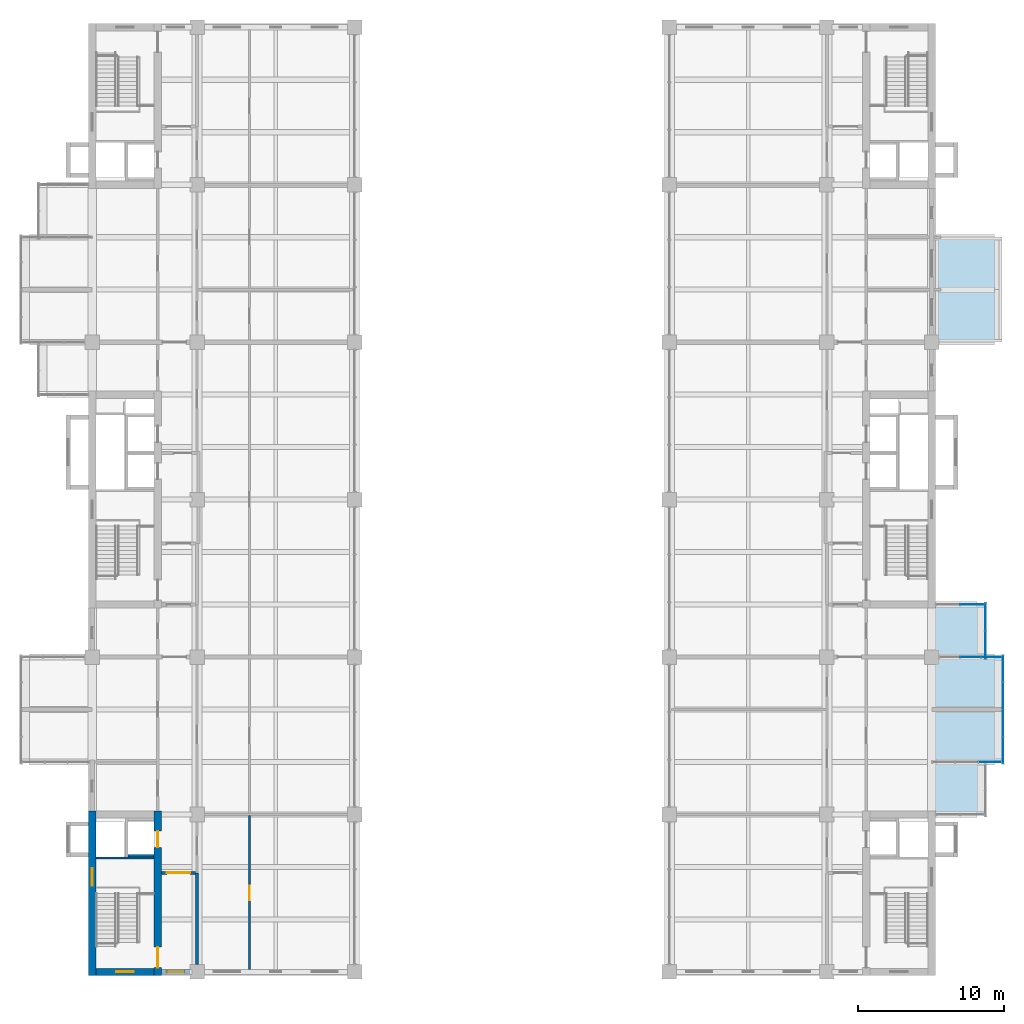
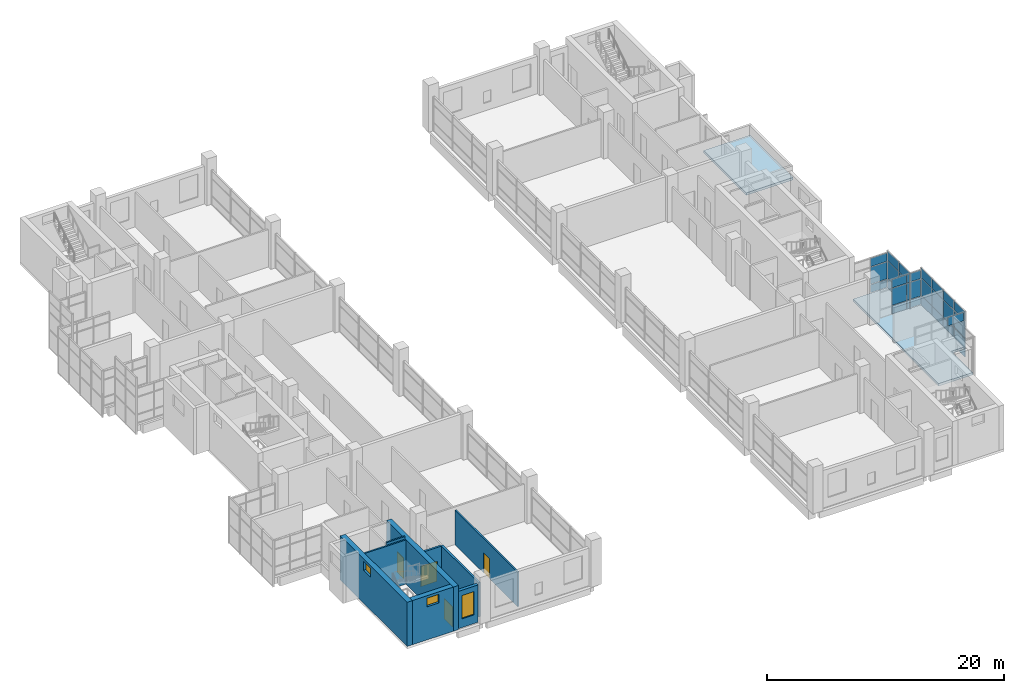
# One storey, part 20 of 30: 28 plates, 9 walls, 4 doors, 3 windows, 2 slabs, 7 openings, 5 elements without a shape of their own.
"""IFC4 building model written with IfcOpenShell, lengths in metres."""

from ifc_helpers import new_model, si_unit, direction, frame, frame_2d, origin, origin_2d, place, context, subcontext, project, spatial, polyline, rectangle, outline, extrude, material, layer, layer_set, type_object, element, fill, aggregate, save


model = new_model("IFC4")

# Units and contexts
model_context = context("Model", 3, precision=1e-05, world=origin(), true_north=direction((0.0, 1.0)))
body_context = subcontext(model_context, "Body", "Model", "MODEL_VIEW")
ifc_project = project(units=[si_unit("LENGTHUNIT", "METRE"), si_unit("AREAUNIT", "SQUARE_METRE"), si_unit("VOLUMEUNIT", "CUBIC_METRE"), si_unit("PLANEANGLEUNIT", "RADIAN"), si_unit("MASSUNIT", "GRAM", prefix="KILO")], contexts=[model_context])

# Site, building, storey
site_placement = place(None, origin())
site = spatial("IfcSite", under=ifc_project, at=site_placement, CompositionType="ELEMENT")
building_placement = place(site_placement, origin())
building = spatial("IfcBuilding", under=site, at=building_placement, Name="Basin Gate Institute", CompositionType="ELEMENT")
storey_placement = place(building_placement, frame((0.0, 0.0, 36.60009765625)))
storey = spatial("IfcBuildingStorey", under=building, at=storey_placement, Name="L07", CompositionType="ELEMENT", Elevation=36.60009765625)

# Slabs
ifc_material_1 = material(Name="Concrete 40 MPa", Category="concrete")
ifc_layer_1 = layer(ifc_material_1, 0.25)
ifc_layer_set_1 = layer_set([ifc_layer_1], Name="Concrete 40 MPa")
slab_type_1 = type_object("IfcSlabType", Name="Slab RS4 R120", PredefinedType="ROOF", material=ifc_layer_set_1)
slab_1_placement = place(storey_placement, frame((0.0, 0.0, -0.25)))
element("IfcSlab", 1, at=slab_1_placement, inside=storey, type_object=slab_type_1, material=ifc_layer_set_1, Name="SLAB/L07/EK22", PredefinedType="ROOF", context=body_context, shape_type="SweptSolid", body=[
    extrude(outline(polyline([(123.60009765625, 78.300048828125), (119.050048828125, 78.300048828125), (119.050048828125, 85.5), (123.60009765625, 85.5), (123.60009765625, 78.300048828125)])), origin(), (0.0, 0.0, 1.0), 0.25),
])
ifc_material_2 = material(Name="Concrete 40 MPa", Category="concrete")
ifc_layer_2 = layer(ifc_material_2, 0.25)
ifc_layer_set_2 = layer_set([ifc_layer_2], Name="Concrete 40 MPa")
slab_type_2 = type_object("IfcSlabType", Name="Slab SL4 R120", PredefinedType="FLOOR", material=ifc_layer_set_2)
slab_2_placement = place(storey_placement, frame((0.0, 0.0, -0.25)))
element("IfcSlab", 2, at=slab_2_placement, inside=storey, type_object=slab_type_2, material=ifc_layer_set_2, Name="SLAB/L07/EK11", PredefinedType="FLOOR", context=body_context, shape_type="SweptSolid", body=[
    extrude(outline(polyline([(119.050048828125, 45.89990234375), (119.050048828125, 60.300048828125), (122.39990234375, 60.300048828125), (122.39990234375, 56.699951171875), (123.60009765625, 56.699951171875), (123.60009765625, 49.5), (122.39990234375, 49.5), (122.39990234375, 45.89990234375), (119.050048828125, 45.89990234375)])), origin(), (0.0, 0.0, 1.0), 0.25),
])

# Curtain wall, plates
ifc_material_3 = material(Name="Aluminium-framed glazing", Category="aluminium")
ifc_layer_3 = layer(ifc_material_3, 0.14990234375)
ifc_layer_set_3 = layer_set([ifc_layer_3], Name="Capsule front curtain wall CW1")
curtain_wall_type = type_object("IfcCurtainWallType", Name="Capsule front curtain wall CW1", PredefinedType="NOTDEFINED", material=ifc_layer_set_3)
curtain_wall_1_placement = place(storey_placement, origin())
curtain_wall_1 = element("IfcCurtainWall", 3, at=curtain_wall_1_placement, inside=storey, type_object=curtain_wall_type, material=ifc_layer_set_3, Name="Capsule front curtain wall E wing capsule end L07 line 7", PredefinedType="NOTDEFINED")
ifc_material_4 = material(Name="Aluminium insulated spandrel panel", Category="aluminium")
ifc_layer_4 = layer(ifc_material_4, 0.050048828125)
ifc_layer_set_4 = layer_set([ifc_layer_4], Name="Spandrel panel PN2")
plate_type_1 = type_object("IfcPlateType", Name="Spandrel panel PN2", PredefinedType="CURTAIN_PANEL", material=ifc_layer_set_4)
plate_1_placement = place(storey_placement, frame((122.870849609375, 56.699951171875, 0.059814453125), z_axis=(0.0, 0.0, 1.0), x_axis=(-1.0, 0.0, 0.0)))
plate_1 = element("IfcPlate", 4, at=plate_1_placement, type_object=plate_type_1, material=ifc_layer_set_4, Name="CW1 spandrel panel 1.1", PredefinedType="CURTAIN_PANEL", context=body_context, shape_type="SweptSolid", body=[
    extrude(rectangle(XDim=1.3583984375, YDim=0.050048828125, at=origin_2d()), origin(), (0.0, 0.0, 1.0), 0.81005859375),
])
plate_2_placement = place(storey_placement, frame((121.449951171875, 56.699951171875, 0.059814453125), z_axis=(0.0, 0.0, 1.0), x_axis=(-1.0, 0.0, 0.0)))
plate_2 = element("IfcPlate", 5, at=plate_2_placement, type_object=plate_type_1, material=ifc_layer_set_4, Name="CW1 spandrel panel 2.1", PredefinedType="CURTAIN_PANEL", context=body_context, shape_type="SweptSolid", body=[
    extrude(rectangle(XDim=1.38330078125, YDim=0.050048828125, at=origin_2d()), origin(), (0.0, 0.0, 1.0), 0.81005859375),
])

# Curtain wall, plate
curtain_wall_2_placement = place(storey_placement, origin())
curtain_wall_2 = element("IfcCurtainWall", 6, at=curtain_wall_2_placement, inside=storey, type_object=curtain_wall_type, material=ifc_layer_set_3, Name="Capsule front curtain wall E wing capsule end L07 line 8", PredefinedType="NOTDEFINED")
plate_3_placement = place(storey_placement, frame((121.550048828125, 60.300048828125, 0.059814453125), z_axis=(0.0, 0.0, 1.0), x_axis=(-1.0, 0.0, 0.0)))
plate_3 = element("IfcPlate", 7, at=plate_3_placement, type_object=plate_type_1, material=ifc_layer_set_4, Name="CW1 spandrel panel 1.1", PredefinedType="CURTAIN_PANEL", context=body_context, shape_type="SweptSolid", body=[
    extrude(rectangle(XDim=1.60009765625, YDim=0.050048828125, at=origin_2d()), origin(), (0.0, 0.0, 1.0), 0.81005859375),
])

# Curtain wall, plates
curtain_wall_3_placement = place(storey_placement, origin())
curtain_wall_3 = element("IfcCurtainWall", 8, at=curtain_wall_3_placement, inside=storey, type_object=curtain_wall_type, material=ifc_layer_set_3, Name="Capsule front curtain wall E wing capsule 1 L07 front 2", PredefinedType="NOTDEFINED")
plate_4_placement = place(storey_placement, frame((123.675048828125, 50.300048828125, -0.990234375), z_axis=(0.0, 0.0, 1.0), x_axis=(0.0, 1.0, 0.0)))
plate_4 = element("IfcPlate", 9, at=plate_4_placement, type_object=plate_type_1, material=ifc_layer_set_4, Name="CW1 spandrel panel 1.1", PredefinedType="CURTAIN_PANEL", context=body_context, shape_type="SweptSolid", body=[
    extrude(rectangle(XDim=1.800048828125, YDim=0.050048828125, at=origin_2d()), origin(), (0.0, 0.0, 1.0), 1.860107421875),
])
plate_5_placement = place(storey_placement, frame((123.675048828125, 52.16259765625, -0.990234375), z_axis=(0.0, 0.0, 1.0), x_axis=(0.0, 1.0, 0.0)))
plate_5 = element("IfcPlate", 10, at=plate_5_placement, type_object=plate_type_1, material=ifc_layer_set_4, Name="CW1 spandrel panel 2.1", PredefinedType="CURTAIN_PANEL", context=body_context, shape_type="SweptSolid", body=[
    extrude(rectangle(XDim=1.824951171875, YDim=0.050048828125, at=origin_2d()), origin(), (0.0, 0.0, 1.0), 1.860107421875),
])
plate_6_placement = place(storey_placement, frame((123.675048828125, 54.03759765625, -0.990234375), z_axis=(0.0, 0.0, 1.0), x_axis=(0.0, 1.0, 0.0)))
plate_6 = element("IfcPlate", 11, at=plate_6_placement, type_object=plate_type_1, material=ifc_layer_set_4, Name="CW1 spandrel panel 3.1", PredefinedType="CURTAIN_PANEL", context=body_context, shape_type="SweptSolid", body=[
    extrude(rectangle(XDim=1.824951171875, YDim=0.050048828125, at=origin_2d()), origin(), (0.0, 0.0, 1.0), 1.860107421875),
])
plate_7_placement = place(storey_placement, frame((123.675048828125, 55.89990234375, -0.990234375), z_axis=(0.0, 0.0, 1.0), x_axis=(0.0, 1.0, 0.0)))
plate_7 = element("IfcPlate", 12, at=plate_7_placement, type_object=plate_type_1, material=ifc_layer_set_4, Name="CW1 spandrel panel 4.1", PredefinedType="CURTAIN_PANEL", context=body_context, shape_type="SweptSolid", body=[
    extrude(rectangle(XDim=1.800048828125, YDim=0.050048828125, at=origin_2d()), origin(), (0.0, 0.0, 1.0), 1.860107421875),
])

curtain_wall_4_placement = place(storey_placement, origin())
curtain_wall_4 = element("IfcCurtainWall", 13, at=curtain_wall_4_placement, inside=storey, type_object=curtain_wall_type, material=ifc_layer_set_3, Name="Capsule front curtain wall E wing capsule 1 L07 front 4", PredefinedType="NOTDEFINED")
plate_8_placement = place(storey_placement, frame((122.47509765625, 57.53759765625, -0.990234375), z_axis=(0.0, 0.0, 1.0), x_axis=(0.0, 1.0, 0.0)))
plate_8 = element("IfcPlate", 14, at=plate_8_placement, type_object=plate_type_1, material=ifc_layer_set_4, Name="CW1 spandrel panel 1.1", PredefinedType="CURTAIN_PANEL", context=body_context, shape_type="SweptSolid", body=[
    extrude(rectangle(XDim=1.875, YDim=0.050048828125, at=origin_2d()), origin(), (0.0, 0.0, 1.0), 1.860107421875),
])
plate_9_placement = place(storey_placement, frame((122.47509765625, 59.46240234375, -0.990234375), z_axis=(0.0, 0.0, 1.0), x_axis=(0.0, 1.0, 0.0)))
plate_9 = element("IfcPlate", 15, at=plate_9_placement, type_object=plate_type_1, material=ifc_layer_set_4, Name="CW1 spandrel panel 2.1", PredefinedType="CURTAIN_PANEL", context=body_context, shape_type="SweptSolid", body=[
    extrude(rectangle(XDim=1.875, YDim=0.050048828125, at=origin_2d()), origin(), (0.0, 0.0, 1.0), 1.860107421875),
])

# Curtain wall, plate
curtain_wall_5_placement = place(storey_placement, origin())
curtain_wall_5 = element("IfcCurtainWall", 16, at=curtain_wall_5_placement, inside=storey, type_object=curtain_wall_type, material=ifc_layer_set_3, Name="Capsule front curtain wall E wing capsule end L07 line 5", PredefinedType="NOTDEFINED")
ifc_material_5 = material(Name="Double glazed unit")
ifc_layer_5 = layer(ifc_material_5, 0.028076171875)
ifc_layer_set_5 = layer_set([ifc_layer_5], Name="Vision panel PN1")
plate_type_2 = type_object("IfcPlateType", Name="Vision panel PN1", PredefinedType="CURTAIN_PANEL", material=ifc_layer_set_5)
plate_10_placement = place(storey_placement, frame((122.78759765625, 49.5, 2.72998046875), z_axis=(0.0, 0.0, 1.0), x_axis=(-1.0, 0.0, 0.0)))
plate_10 = element("IfcPlate", 17, at=plate_10_placement, type_object=plate_type_2, material=ifc_layer_set_5, Name="CW1 vision panel 1.3", PredefinedType="CURTAIN_PANEL", context=body_context, shape_type="SweptSolid", body=[
    extrude(rectangle(XDim=1.52490234375, YDim=0.028076171875, at=origin_2d()), origin(), (0.0, 0.0, 1.0), 0.860107421875),
])
aggregate(curtain_wall_5, [plate_10])

# Plate
plate_11_placement = place(storey_placement, frame((122.870849609375, 56.699951171875, 0.9296875), z_axis=(0.0, 0.0, 1.0), x_axis=(-1.0, 0.0, 0.0)))
plate_11 = element("IfcPlate", 18, at=plate_11_placement, type_object=plate_type_2, material=ifc_layer_set_5, Name="CW1 vision panel 1.2", PredefinedType="CURTAIN_PANEL", context=body_context, shape_type="SweptSolid", body=[
    extrude(rectangle(XDim=1.3583984375, YDim=0.028076171875, at=origin_2d()), origin(), (0.0, 0.0, 1.0), 1.739990234375),
])

plate_12_placement = place(storey_placement, frame((122.870849609375, 56.699951171875, 2.72998046875), z_axis=(0.0, 0.0, 1.0), x_axis=(-1.0, 0.0, 0.0)))
plate_12 = element("IfcPlate", 19, at=plate_12_placement, type_object=plate_type_2, material=ifc_layer_set_5, Name="CW1 vision panel 1.3", PredefinedType="CURTAIN_PANEL", context=body_context, shape_type="SweptSolid", body=[
    extrude(rectangle(XDim=1.3583984375, YDim=0.028076171875, at=origin_2d()), origin(), (0.0, 0.0, 1.0), 0.860107421875),
])

plate_13_placement = place(storey_placement, frame((121.449951171875, 56.699951171875, 0.9296875), z_axis=(0.0, 0.0, 1.0), x_axis=(-1.0, 0.0, 0.0)))
plate_13 = element("IfcPlate", 20, at=plate_13_placement, type_object=plate_type_2, material=ifc_layer_set_5, Name="CW1 vision panel 2.2", PredefinedType="CURTAIN_PANEL", context=body_context, shape_type="SweptSolid", body=[
    extrude(rectangle(XDim=1.38330078125, YDim=0.028076171875, at=origin_2d()), origin(), (0.0, 0.0, 1.0), 1.739990234375),
])

plate_14_placement = place(storey_placement, frame((121.449951171875, 56.699951171875, 2.72998046875), z_axis=(0.0, 0.0, 1.0), x_axis=(-1.0, 0.0, 0.0)))
plate_14 = element("IfcPlate", 21, at=plate_14_placement, type_object=plate_type_2, material=ifc_layer_set_5, Name="CW1 vision panel 2.3", PredefinedType="CURTAIN_PANEL", context=body_context, shape_type="SweptSolid", body=[
    extrude(rectangle(XDim=1.38330078125, YDim=0.028076171875, at=origin_2d()), origin(), (0.0, 0.0, 1.0), 0.860107421875),
])

aggregate(curtain_wall_1, [plate_1, plate_11, plate_12, plate_2, plate_13, plate_14])

plate_15_placement = place(storey_placement, frame((121.550048828125, 60.300048828125, 0.9296875), z_axis=(0.0, 0.0, 1.0), x_axis=(-1.0, 0.0, 0.0)))
plate_15 = element("IfcPlate", 22, at=plate_15_placement, type_object=plate_type_2, material=ifc_layer_set_5, Name="CW1 vision panel 1.2", PredefinedType="CURTAIN_PANEL", context=body_context, shape_type="SweptSolid", body=[
    extrude(rectangle(XDim=1.60009765625, YDim=0.028076171875, at=origin_2d()), origin(), (0.0, 0.0, 1.0), 1.739990234375),
])

plate_16_placement = place(storey_placement, frame((121.550048828125, 60.300048828125, 2.72998046875), z_axis=(0.0, 0.0, 1.0), x_axis=(-1.0, 0.0, 0.0)))
plate_16 = element("IfcPlate", 23, at=plate_16_placement, type_object=plate_type_2, material=ifc_layer_set_5, Name="CW1 vision panel 1.3", PredefinedType="CURTAIN_PANEL", context=body_context, shape_type="SweptSolid", body=[
    extrude(rectangle(XDim=1.60009765625, YDim=0.028076171875, at=origin_2d()), origin(), (0.0, 0.0, 1.0), 0.860107421875),
])

aggregate(curtain_wall_2, [plate_3, plate_15, plate_16])

plate_17_placement = place(storey_placement, frame((123.675048828125, 50.300048828125, 0.9296875), z_axis=(0.0, 0.0, 1.0), x_axis=(0.0, 1.0, 0.0)))
plate_17 = element("IfcPlate", 24, at=plate_17_placement, type_object=plate_type_2, material=ifc_layer_set_5, Name="CW1 vision panel 1.2", PredefinedType="CURTAIN_PANEL", context=body_context, shape_type="SweptSolid", body=[
    extrude(rectangle(XDim=1.800048828125, YDim=0.028076171875, at=origin_2d()), origin(), (0.0, 0.0, 1.0), 1.739990234375),
])

plate_18_placement = place(storey_placement, frame((123.675048828125, 50.300048828125, 2.72998046875), z_axis=(0.0, 0.0, 1.0), x_axis=(0.0, 1.0, 0.0)))
plate_18 = element("IfcPlate", 25, at=plate_18_placement, type_object=plate_type_2, material=ifc_layer_set_5, Name="CW1 vision panel 1.3", PredefinedType="CURTAIN_PANEL", context=body_context, shape_type="SweptSolid", body=[
    extrude(rectangle(XDim=1.800048828125, YDim=0.028076171875, at=origin_2d()), origin(), (0.0, 0.0, 1.0), 0.9599609375),
])

plate_19_placement = place(storey_placement, frame((123.675048828125, 52.16259765625, 0.9296875), z_axis=(0.0, 0.0, 1.0), x_axis=(0.0, 1.0, 0.0)))
plate_19 = element("IfcPlate", 26, at=plate_19_placement, type_object=plate_type_2, material=ifc_layer_set_5, Name="CW1 vision panel 2.2", PredefinedType="CURTAIN_PANEL", context=body_context, shape_type="SweptSolid", body=[
    extrude(rectangle(XDim=1.824951171875, YDim=0.028076171875, at=origin_2d()), origin(), (0.0, 0.0, 1.0), 1.739990234375),
])

plate_20_placement = place(storey_placement, frame((123.675048828125, 52.16259765625, 2.72998046875), z_axis=(0.0, 0.0, 1.0), x_axis=(0.0, 1.0, 0.0)))
plate_20 = element("IfcPlate", 27, at=plate_20_placement, type_object=plate_type_2, material=ifc_layer_set_5, Name="CW1 vision panel 2.3", PredefinedType="CURTAIN_PANEL", context=body_context, shape_type="SweptSolid", body=[
    extrude(rectangle(XDim=1.824951171875, YDim=0.028076171875, at=origin_2d()), origin(), (0.0, 0.0, 1.0), 0.9599609375),
])

plate_21_placement = place(storey_placement, frame((123.675048828125, 54.03759765625, 0.9296875), z_axis=(0.0, 0.0, 1.0), x_axis=(0.0, 1.0, 0.0)))
plate_21 = element("IfcPlate", 28, at=plate_21_placement, type_object=plate_type_2, material=ifc_layer_set_5, Name="CW1 vision panel 3.2", PredefinedType="CURTAIN_PANEL", context=body_context, shape_type="SweptSolid", body=[
    extrude(rectangle(XDim=1.824951171875, YDim=0.028076171875, at=origin_2d()), origin(), (0.0, 0.0, 1.0), 1.739990234375),
])

plate_22_placement = place(storey_placement, frame((123.675048828125, 54.03759765625, 2.72998046875), z_axis=(0.0, 0.0, 1.0), x_axis=(0.0, 1.0, 0.0)))
plate_22 = element("IfcPlate", 29, at=plate_22_placement, type_object=plate_type_2, material=ifc_layer_set_5, Name="CW1 vision panel 3.3", PredefinedType="CURTAIN_PANEL", context=body_context, shape_type="SweptSolid", body=[
    extrude(rectangle(XDim=1.824951171875, YDim=0.028076171875, at=origin_2d()), origin(), (0.0, 0.0, 1.0), 0.9599609375),
])

plate_23_placement = place(storey_placement, frame((123.675048828125, 55.89990234375, 0.9296875), z_axis=(0.0, 0.0, 1.0), x_axis=(0.0, 1.0, 0.0)))
plate_23 = element("IfcPlate", 30, at=plate_23_placement, type_object=plate_type_2, material=ifc_layer_set_5, Name="CW1 vision panel 4.2", PredefinedType="CURTAIN_PANEL", context=body_context, shape_type="SweptSolid", body=[
    extrude(rectangle(XDim=1.800048828125, YDim=0.028076171875, at=origin_2d()), origin(), (0.0, 0.0, 1.0), 1.739990234375),
])

plate_24_placement = place(storey_placement, frame((123.675048828125, 55.89990234375, 2.72998046875), z_axis=(0.0, 0.0, 1.0), x_axis=(0.0, 1.0, 0.0)))
plate_24 = element("IfcPlate", 31, at=plate_24_placement, type_object=plate_type_2, material=ifc_layer_set_5, Name="CW1 vision panel 4.3", PredefinedType="CURTAIN_PANEL", context=body_context, shape_type="SweptSolid", body=[
    extrude(rectangle(XDim=1.800048828125, YDim=0.028076171875, at=origin_2d()), origin(), (0.0, 0.0, 1.0), 0.9599609375),
])

aggregate(curtain_wall_3, [plate_4, plate_17, plate_18, plate_5, plate_19, plate_20, plate_6, plate_21, plate_22, plate_7, plate_23, plate_24])

plate_25_placement = place(storey_placement, frame((122.47509765625, 57.53759765625, 0.9296875), z_axis=(0.0, 0.0, 1.0), x_axis=(0.0, 1.0, 0.0)))
plate_25 = element("IfcPlate", 32, at=plate_25_placement, type_object=plate_type_2, material=ifc_layer_set_5, Name="CW1 vision panel 1.2", PredefinedType="CURTAIN_PANEL", context=body_context, shape_type="SweptSolid", body=[
    extrude(rectangle(XDim=1.875, YDim=0.028076171875, at=origin_2d()), origin(), (0.0, 0.0, 1.0), 1.739990234375),
])

plate_26_placement = place(storey_placement, frame((122.47509765625, 57.53759765625, 2.72998046875), z_axis=(0.0, 0.0, 1.0), x_axis=(0.0, 1.0, 0.0)))
plate_26 = element("IfcPlate", 33, at=plate_26_placement, type_object=plate_type_2, material=ifc_layer_set_5, Name="CW1 vision panel 1.3", PredefinedType="CURTAIN_PANEL", context=body_context, shape_type="SweptSolid", body=[
    extrude(rectangle(XDim=1.875, YDim=0.028076171875, at=origin_2d()), origin(), (0.0, 0.0, 1.0), 0.9599609375),
])

plate_27_placement = place(storey_placement, frame((122.47509765625, 59.46240234375, 0.9296875), z_axis=(0.0, 0.0, 1.0), x_axis=(0.0, 1.0, 0.0)))
plate_27 = element("IfcPlate", 34, at=plate_27_placement, type_object=plate_type_2, material=ifc_layer_set_5, Name="CW1 vision panel 2.2", PredefinedType="CURTAIN_PANEL", context=body_context, shape_type="SweptSolid", body=[
    extrude(rectangle(XDim=1.875, YDim=0.028076171875, at=origin_2d()), origin(), (0.0, 0.0, 1.0), 1.739990234375),
])

plate_28_placement = place(storey_placement, frame((122.47509765625, 59.46240234375, 2.72998046875), z_axis=(0.0, 0.0, 1.0), x_axis=(0.0, 1.0, 0.0)))
plate_28 = element("IfcPlate", 35, at=plate_28_placement, type_object=plate_type_2, material=ifc_layer_set_5, Name="CW1 vision panel 2.3", PredefinedType="CURTAIN_PANEL", context=body_context, shape_type="SweptSolid", body=[
    extrude(rectangle(XDim=1.875, YDim=0.028076171875, at=origin_2d()), origin(), (0.0, 0.0, 1.0), 0.9599609375),
])

aggregate(curtain_wall_4, [plate_8, plate_25, plate_26, plate_9, plate_27, plate_28])

# Wall, opening, door
ifc_material_6 = material(Name="Fire-rated masonry", Category="masonry")
ifc_layer_6 = layer(ifc_material_6, 0.199951171875)
ifc_layer_set_6 = layer_set([ifc_layer_6], Name="Enclosure wall PW2 200 EI 60")
wall_type_1 = type_object("IfcWallType", Name="Enclosure wall PW2 200 EI 60", PredefinedType="PARTITIONING", material=ifc_layer_set_6)
wall_1_placement = place(storey_placement, frame((65.949951171875, 41.89990234375, 0.0), z_axis=(0.0, 0.0, 1.0), x_axis=(1.0, 0.0, 0.0)))
wall_1 = element("IfcWall", 36, at=wall_1_placement, inside=storey, type_object=wall_type_1, material=ifc_layer_set_6, Name="Smoke lobby enclosure wall PW2 L07", PredefinedType="PARTITIONING", context=body_context, shape_type="SweptSolid", body=[
    extrude(rectangle(XDim=2.35009765625, YDim=0.199951171875, at=frame_2d((1.175048828125, 0.0))), origin(), (0.0, 0.0, 1.0), 3.5498046875),
])
opening_1_placement = place(wall_1_placement, frame((0.375, 0.0, 0.0)))
opening_1 = element("IfcOpeningElement", 37, at=opening_1_placement, cuts=wall_1, Name="Opening DR362", PredefinedType="OPENING", context=body_context, shape_type="SweptSolid", body=[
    extrude(rectangle(XDim=1.60009765625, YDim=2.10009765625, at=frame_2d((0.800048828125, 1.050048828125))), frame((0.0, 0.10986328125, 0.0), z_axis=(0.0, -1.0, 0.0), x_axis=(1.0, 0.0, 0.0)), (0.0, 0.0, 1.0), 0.219970703125),
])
ifc_material_7 = material(Name="Steel fire door", Category="steel")
door_type_1 = type_object("IfcDoorType", Name="FD60 Smoke lobby door pair D8", OperationType="DOUBLE_DOOR_SINGLE_SWING", PredefinedType="DOOR", material=ifc_material_7)
door_1_placement = place(opening_1_placement, frame((1.60009765625, 0.0, 0.0), z_axis=(0.0, 0.0, 1.0), x_axis=(-1.0, 0.0, 0.0)))
door_1 = element("IfcDoor", 38, at=door_1_placement, inside=storey, type_object=door_type_1, material=ifc_material_7, Name="Smoke lobby door SS1 L07", OperationType="DOUBLE_DOOR_SINGLE_SWING", OverallHeight=2.10009765625, OverallWidth=1.60009765625, PredefinedType="DOOR", context=body_context, shape_type="SweptSolid", body=[
    extrude(rectangle(XDim=1.60009765625, YDim=2.10009765625, at=frame_2d((0.800048828125, 1.050048828125))), frame((0.0, 0.02490234375, 0.0), z_axis=(0.0, -1.0, 0.0), x_axis=(1.0, 0.0, 0.0)), (0.0, 0.0, 1.0), 0.050048828125),
])
fill(opening_1, door_1)

# Wall
wall_2_placement = place(storey_placement, frame((68.39990234375, 35.60009765625, 0.0), z_axis=(0.0, 0.0, 1.0), x_axis=(0.0, 1.0, 0.0)))
element("IfcWall", 39, at=wall_2_placement, inside=storey, type_object=wall_type_1, material=ifc_layer_set_6, Name="Smoke lobby enclosure wall PW2 L07", PredefinedType="PARTITIONING", context=body_context, shape_type="SweptSolid", body=[
    extrude(rectangle(XDim=6.2998046875, YDim=0.199951171875, at=frame_2d((3.14990234375, 0.0))), origin(), (0.0, 0.0, 1.0), 3.5498046875),
])

# Wall, opening, window
ifc_material_8 = material(Name="Aluminium-faced insulated panel wall", Category="aluminium")
ifc_layer_7 = layer(ifc_material_8, 0.300048828125)
ifc_layer_set_7 = layer_set([ifc_layer_7], Name="External wall EW1 EI 120")
wall_type_2 = type_object("IfcWallType", Name="External wall EW1 EI 120", PredefinedType="STANDARD", material=ifc_layer_set_7)
wall_3_placement = place(storey_placement, frame((65.949951171875, 35.10009765625, 0.0), z_axis=(0.0, 0.0, 1.0), x_axis=(1.0, 0.0, 0.0)))
wall_3 = element("IfcWall", 40, at=wall_3_placement, inside=storey, type_object=wall_type_2, material=ifc_layer_set_7, Name="External end wall W wing south L07 1", PredefinedType="STANDARD", context=body_context, shape_type="SweptSolid", body=[
    extrude(rectangle(XDim=1.949951171875, YDim=0.300048828125, at=frame_2d((0.97509765625, 0.0))), origin(), (0.0, 0.0, 1.0), 3.849853515625),
])
opening_2_placement = place(wall_3_placement, frame((0.375, 0.0, 0.89990234375)))
opening_2 = element("IfcOpeningElement", 41, at=opening_2_placement, cuts=wall_3, Name="Opening WN4", PredefinedType="OPENING", context=body_context, shape_type="SweptSolid", body=[
    extrude(rectangle(XDim=1.199951171875, YDim=2.39990234375, at=frame_2d((0.60009765625, 1.199951171875))), frame((0.0, 0.16015625, 0.0), z_axis=(0.0, -1.0, 0.0), x_axis=(1.0, 0.0, 0.0)), (0.0, 0.0, 1.0), 0.320068359375),
])
ifc_material_9 = material(Name="Aluminium-framed double glazing", Category="aluminium")
window_type_1 = type_object("IfcWindowType", Name="Corridor end window WN4", PartitioningType="SINGLE_PANEL", PredefinedType="WINDOW", material=ifc_material_9)
window_1_placement = place(opening_2_placement, origin())
window_1 = element("IfcWindow", 42, at=window_1_placement, inside=storey, type_object=window_type_1, material=ifc_material_9, Name="Corridor end window W wing S L07", OverallHeight=2.39990234375, OverallWidth=1.199951171875, PartitioningType="SINGLE_PANEL", PredefinedType="WINDOW", context=body_context, shape_type="SweptSolid", body=[
    extrude(rectangle(XDim=1.199951171875, YDim=2.39990234375, at=frame_2d((0.60009765625, 1.199951171875))), frame((0.0, 0.030029296875, 0.0), z_axis=(0.0, -1.0, 0.0), x_axis=(1.0, 0.0, 0.0)), (0.0, 0.0, 1.0), 0.06005859375),
])
fill(opening_2, window_1)

# Wall, opening, door
ifc_material_10 = material(Name="Gypsum board on steel stud", Category="steel")
ifc_layer_8 = layer(ifc_material_10, 0.14990234375)
ifc_layer_set_8 = layer_set([ifc_layer_8], Name="Gypsum board on steel stud")
wall_type_3 = type_object("IfcWallType", Name="Partition PW1 150 EI 60", PredefinedType="PARTITIONING", material=ifc_layer_set_8)
wall_4_placement = place(storey_placement, frame((72.0, 35.25, 0.0), z_axis=(0.0, 0.0, 1.0), x_axis=(0.0, 1.0, 0.0)))
wall_4 = element("IfcWall", 43, at=wall_4_placement, inside=storey, type_object=wall_type_3, material=ifc_layer_set_8, Name="Clean room wall PW1 L07", PredefinedType="PARTITIONING", context=body_context, shape_type="SweptSolid", body=[
    extrude(rectangle(XDim=10.574951171875, YDim=0.14990234375, at=frame_2d((5.28759765625, 0.0))), origin(), (0.0, 0.0, 1.0), 3.5498046875),
])
opening_3_placement = place(wall_4_placement, frame((4.75, 0.0, 0.0)))
opening_3 = element("IfcOpeningElement", 44, at=opening_3_placement, cuts=wall_4, Name="Opening DR345", PredefinedType="OPENING", context=body_context, shape_type="SweptSolid", body=[
    extrude(rectangle(XDim=1.0, YDim=2.10009765625, at=frame_2d((0.5, 1.050048828125))), frame((0.0, 0.0849609375, 0.0), z_axis=(0.0, -1.0, 0.0), x_axis=(1.0, 0.0, 0.0)), (0.0, 0.0, 1.0), 0.169921875),
])
ifc_material_11 = material(Name="Steel fire door", Category="steel")
door_type_2 = type_object("IfcDoorType", Name="FD30 Airlock door D5", OperationType="NOTDEFINED", PredefinedType="DOOR", material=ifc_material_11)
door_2_placement = place(opening_3_placement, frame((1.0, 0.0, 0.0), z_axis=(0.0, 0.0, 1.0), x_axis=(-1.0, 0.0, 0.0)))
door_2 = element("IfcDoor", 45, at=door_2_placement, inside=storey, type_object=door_type_2, material=ifc_material_11, Name="Clean room entry door Clean Room ISO 7 0714 L07", OperationType="SINGLE_SWING_RIGHT", OverallHeight=2.10009765625, OverallWidth=1.0, PredefinedType="DOOR", context=body_context, shape_type="SweptSolid", body=[
    extrude(rectangle(XDim=1.0, YDim=2.10009765625, at=frame_2d((0.5, 1.050048828125))), frame((0.0, 0.02490234375, 0.0), z_axis=(0.0, -1.0, 0.0), x_axis=(1.0, 0.0, 0.0)), (0.0, 0.0, 1.0), 0.050048828125),
])
fill(opening_3, door_2)

# Walls
ifc_material_12 = material(Name="Concrete 40 MPa", Category="concrete")
ifc_layer_9 = layer(ifc_material_12, 0.14990234375)
ifc_layer_set_9 = layer_set([ifc_layer_9], Name="Concrete 40 MPa")
wall_type_4 = type_object("IfcWallType", Name="Wall LS1 lift shaft enclosure R120", PredefinedType="SOLIDWALL", material=ifc_layer_set_9)
wall_5_placement = place(storey_placement, frame((63.64990234375, 43.074951171875, 0.0), z_axis=(0.0, 0.0, 1.0), x_axis=(1.0, 0.0, 0.0)))
element("IfcWall", 46, at=wall_5_placement, inside=storey, type_object=wall_type_4, material=ifc_layer_set_9, Name="Lift shaft enclosure LP1 L07 RL", PredefinedType="SOLIDWALL", context=body_context, shape_type="SweptSolid", body=[
    extrude(rectangle(XDim=1.800048828125, YDim=0.14990234375, at=frame_2d((0.89990234375, 0.0))), origin(), (0.0, 0.0, 1.0), 4.7998046875),
])
ifc_material_13 = material(Name="Concrete 40 MPa", Category="concrete")
ifc_layer_10 = layer(ifc_material_13, 0.14990234375)
ifc_layer_set_10 = layer_set([ifc_layer_10], Name="Concrete 40 MPa")
wall_type_5 = type_object("IfcWallType", Name="Wall SE1 stair enclosure R120", PredefinedType="SOLIDWALL", material=ifc_layer_set_10)
wall_6_placement = place(storey_placement, frame((61.449951171875, 42.925048828125, 0.0), z_axis=(0.0, 0.0, 1.0), x_axis=(1.0, 0.0, 0.0)))
element("IfcWall", 47, at=wall_6_placement, inside=storey, type_object=wall_type_5, material=ifc_layer_set_10, Name="Stair enclosure wall ST-WS L07", PredefinedType="SOLIDWALL", context=body_context, shape_type="SweptSolid", body=[
    extrude(rectangle(XDim=4.0, YDim=0.14990234375, at=frame_2d((2.0, 0.0))), origin(), (0.0, 0.0, 1.0), 4.5498046875),
])

# Wall, opening, window
ifc_material_14 = material(Name="Concrete 60 MPa", Category="concrete")
ifc_layer_11 = layer(ifc_material_14, 0.5)
ifc_layer_set_11 = layer_set([ifc_layer_11], Name="Concrete 60 MPa")
wall_type_6 = type_object("IfcWallType", Name="Wall SW1 R120", PredefinedType="SHEAR", material=ifc_layer_set_11)
wall_7_placement = place(storey_placement, frame((61.199951171875, 34.85009765625, 0.0), z_axis=(0.0, 0.0, 1.0), x_axis=(0.0, 1.0, 0.0)))
wall_7 = element("IfcWall", 48, at=wall_7_placement, inside=storey, type_object=wall_type_6, material=ifc_layer_set_11, Name="WALL/L07/WS/L", PredefinedType="SHEAR", context=body_context, shape_type="SweptSolid", body=[
    extrude(rectangle(XDim=11.2998046875, YDim=0.5, at=frame_2d((5.64990234375, 0.0))), origin(), (0.0, 0.0, 1.0), 4.5498046875),
])
opening_4_placement = place(wall_7_placement, frame((6.159912109375, 0.0, 3.39990234375)))
opening_4 = element("IfcOpeningElement", 49, at=opening_4_placement, cuts=wall_7, Name="Opening WT2", PredefinedType="OPENING", context=body_context, shape_type="SweptSolid", body=[
    extrude(rectangle(XDim=1.199951171875, YDim=0.89990234375, at=frame_2d((0.60009765625, 0.449951171875))), frame((0.0, 0.260009765625, 0.0), z_axis=(0.0, -1.0, 0.0), x_axis=(1.0, 0.0, 0.0)), (0.0, 0.0, 1.0), 0.52001953125),
])
ifc_material_15 = material(Name="Fire-resistant glazing in steel-free frame", Category="steel")
window_type_2 = type_object("IfcWindowType", Name="Rated stair window EI 120 WT2", PartitioningType="SINGLE_PANEL", PredefinedType="WINDOW", material=ifc_material_15)
window_2_placement = place(opening_4_placement, origin())
window_2 = element("IfcWindow", 50, at=window_2_placement, inside=storey, type_object=window_type_2, material=ifc_material_15, Name="Rated stair window EI 120 WS landing L07", OverallHeight=0.89990234375, OverallWidth=1.199951171875, PartitioningType="SINGLE_PANEL", PredefinedType="WINDOW", context=body_context, shape_type="SweptSolid", body=[
    extrude(rectangle(XDim=1.199951171875, YDim=0.89990234375, at=frame_2d((0.60009765625, 0.449951171875))), frame((0.0, 0.030029296875, 0.0), z_axis=(0.0, -1.0, 0.0), x_axis=(1.0, 0.0, 0.0)), (0.0, 0.0, 1.0), 0.06005859375),
])
fill(opening_4, window_2)

# Wall, openings, doors
wall_8_placement = place(storey_placement, frame((65.699951171875, 34.85009765625, 0.0), z_axis=(0.0, 0.0, 1.0), x_axis=(0.0, 1.0, 0.0)))
wall_8 = element("IfcWall", 51, at=wall_8_placement, inside=storey, type_object=wall_type_6, material=ifc_layer_set_11, Name="WALL/L07/WS/C", PredefinedType="SHEAR", context=body_context, shape_type="SweptSolid", body=[
    extrude(rectangle(XDim=11.2998046875, YDim=0.5, at=frame_2d((5.64990234375, 0.0))), origin(), (0.0, 0.0, 1.0), 4.5498046875),
])
opening_5_placement = place(wall_8_placement, frame((0.550048828125, 0.0, 0.0)))
opening_5 = element("IfcOpeningElement", 52, at=opening_5_placement, cuts=wall_8, Name="Opening DS043", PredefinedType="OPENING", context=body_context, shape_type="SweptSolid", body=[
    extrude(rectangle(XDim=1.39990234375, YDim=2.10009765625, at=frame_2d((0.699951171875, 1.050048828125))), frame((0.0, 0.260009765625, 0.0), z_axis=(0.0, -1.0, 0.0), x_axis=(1.0, 0.0, 0.0)), (0.0, 0.0, 1.0), 0.52001953125),
])
opening_6_placement = place(wall_8_placement, frame((8.800048828125, 0.0, 0.0)))
opening_6 = element("IfcOpeningElement", 53, at=opening_6_placement, cuts=wall_8, Name="Opening LD010", PredefinedType="OPENING", context=body_context, shape_type="SweptSolid", body=[
    extrude(rectangle(XDim=1.10009765625, YDim=2.10009765625, at=frame_2d((0.550048828125, 1.050048828125))), frame((0.0, 0.260009765625, 0.0), z_axis=(0.0, -1.0, 0.0), x_axis=(1.0, 0.0, 0.0)), (0.0, 0.0, 1.0), 0.52001953125),
])
ifc_material_16 = material(Name="Steel fire door", Category="steel")
door_type_3 = type_object("IfcDoorType", Name="FD30 Stair enclosure door DS", OperationType="DOUBLE_DOOR_SINGLE_SWING", PredefinedType="DOOR", material=ifc_material_16)
door_3_placement = place(opening_5_placement, origin())
door_3 = element("IfcDoor", 54, at=door_3_placement, inside=storey, type_object=door_type_3, material=ifc_material_16, Name="Stair enclosure door ST-WS L07", OperationType="DOUBLE_DOOR_SINGLE_SWING", OverallHeight=2.10009765625, OverallWidth=1.39990234375, PredefinedType="DOOR", context=body_context, shape_type="SweptSolid", body=[
    extrude(rectangle(XDim=1.39990234375, YDim=2.10009765625, at=frame_2d((0.699951171875, 1.050048828125))), frame((0.0, 0.02490234375, 0.0), z_axis=(0.0, -1.0, 0.0), x_axis=(1.0, 0.0, 0.0)), (0.0, 0.0, 1.0), 0.050048828125),
])
fill(opening_5, door_3)
ifc_material_17 = material(Name="Stainless steel", Category="steel")
door_type_4 = type_object("IfcDoorType", Name="FD60 Lift landing door LD", OperationType="SLIDING_TO_LEFT", PredefinedType="DOOR", material=ifc_material_17)
door_4_placement = place(opening_6_placement, origin())
door_4 = element("IfcDoor", 55, at=door_4_placement, inside=storey, type_object=door_type_4, material=ifc_material_17, Name="Lift landing door LP1 L07", OperationType="SLIDING_TO_LEFT", OverallHeight=2.10009765625, OverallWidth=1.10009765625, PredefinedType="DOOR", context=body_context, shape_type="SweptSolid", body=[
    extrude(rectangle(XDim=1.10009765625, YDim=2.10009765625, at=frame_2d((0.550048828125, 1.050048828125))), frame((0.0, 0.02490234375, 0.0), z_axis=(0.0, -1.0, 0.0), x_axis=(1.0, 0.0, 0.0)), (0.0, 0.0, 1.0), 0.050048828125),
])
fill(opening_6, door_4)

# Wall, opening, window
wall_9_placement = place(storey_placement, frame((61.449951171875, 35.10009765625, 0.0), z_axis=(0.0, 0.0, 1.0), x_axis=(1.0, 0.0, 0.0)))
wall_9 = element("IfcWall", 56, at=wall_9_placement, inside=storey, type_object=wall_type_6, material=ifc_layer_set_11, Name="WALL/L07/WS/S", PredefinedType="SHEAR", context=body_context, shape_type="SweptSolid", body=[
    extrude(rectangle(XDim=4.0, YDim=0.5, at=frame_2d((2.0, 0.0))), origin(), (0.0, 0.0, 1.0), 4.5498046875),
])
opening_7_placement = place(wall_9_placement, frame((1.39990234375, 0.0, 3.39990234375)))
opening_7 = element("IfcOpeningElement", 57, at=opening_7_placement, cuts=wall_9, Name="Opening WT2", PredefinedType="OPENING", context=body_context, shape_type="SweptSolid", body=[
    extrude(rectangle(XDim=1.199951171875, YDim=0.89990234375, at=frame_2d((0.60009765625, 0.449951171875))), frame((0.0, 0.260009765625, 0.0), z_axis=(0.0, -1.0, 0.0), x_axis=(1.0, 0.0, 0.0)), (0.0, 0.0, 1.0), 0.52001953125),
])
window_3_placement = place(opening_7_placement, origin())
window_3 = element("IfcWindow", 58, at=window_3_placement, inside=storey, type_object=window_type_2, material=ifc_material_15, Name="Rated stair window EI 120 WS end L07", OverallHeight=0.89990234375, OverallWidth=1.199951171875, PartitioningType="SINGLE_PANEL", PredefinedType="WINDOW", context=body_context, shape_type="SweptSolid", body=[
    extrude(rectangle(XDim=1.199951171875, YDim=0.89990234375, at=frame_2d((0.60009765625, 0.449951171875))), frame((0.0, 0.030029296875, 0.0), z_axis=(0.0, -1.0, 0.0), x_axis=(1.0, 0.0, 0.0)), (0.0, 0.0, 1.0), 0.06005859375),
])
fill(opening_7, window_3)

save(model, "model.ifc")
